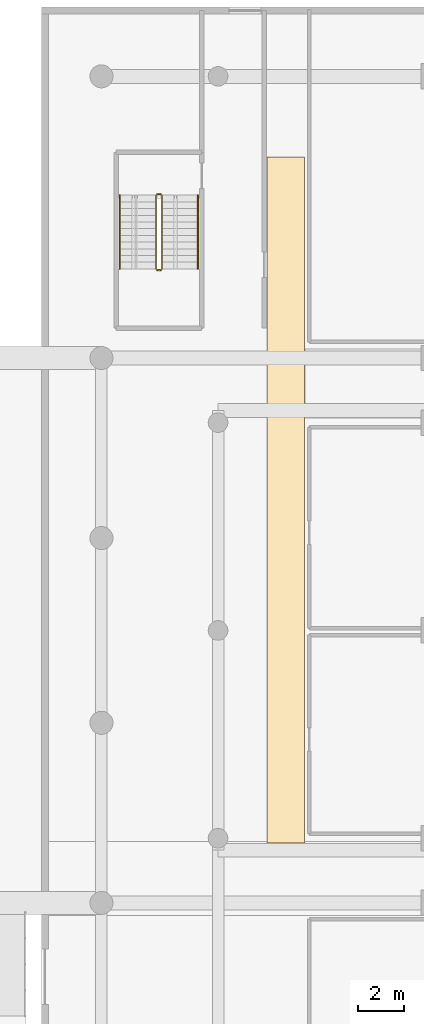
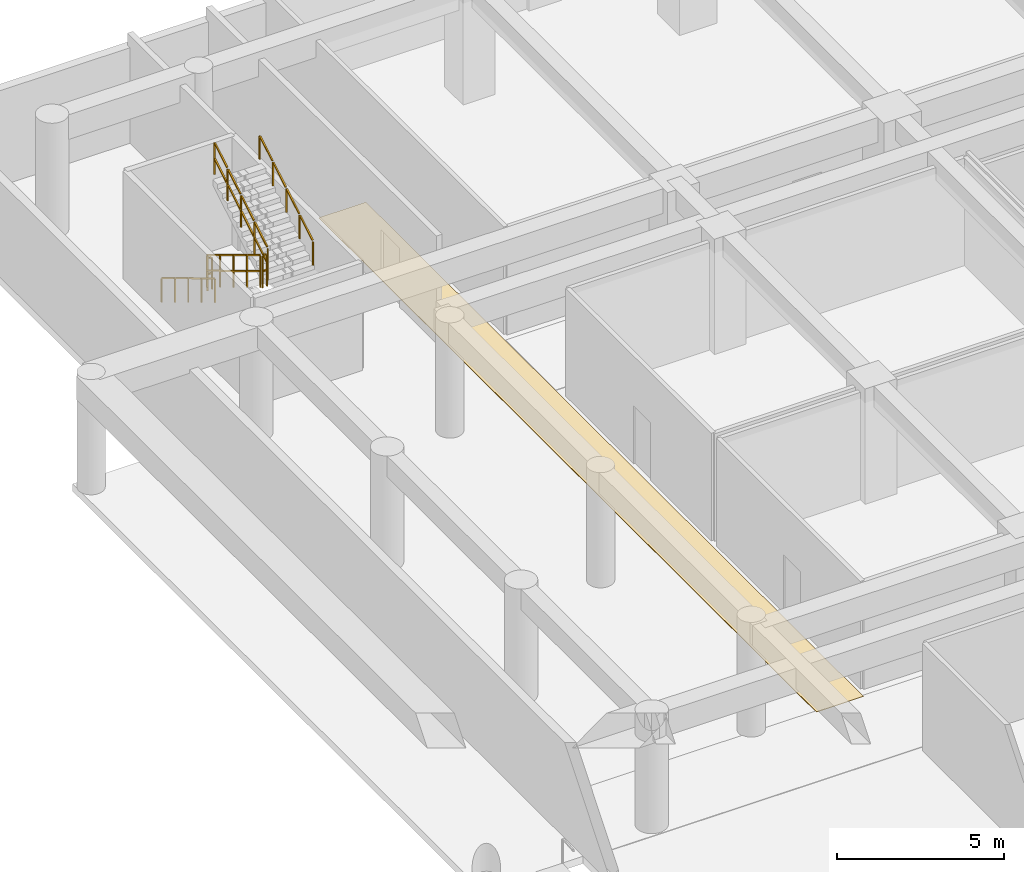
# One storey, part 22 of 24: 6 railings, 1 covering.
"""IFC4 building model written with IfcOpenShell, lengths in metres."""

import ifcopenshell
import ifcopenshell.guid

model = None  # the IFC model being written
_history = None  # IfcOwnerHistory: only IFC2X3 demands one
_inside = {}  # id of a spatial element -> (the spatial element, [elements in it])
_under = {}  # id of a project, library or spatial element -> (it, [spatial elements below it])
_declared = {}  # id of a project -> (the project, [libraries it declares])
_typed = {}  # id of a type object -> (the type object, [elements of that type])
_made_of = {}  # id of a material, layer set ... -> (it, [elements and type objects made of it])


def new_model(schema):
    """Start an empty IFC model of exactly this schema.

    Asked for "IFC4X3", IfcOpenShell would pick the latest addendum, in which some entities
    have other attributes; the version numbers below select the first issue.
    IFC2X3 requires an IfcOwnerHistory on every rooted entity: one is made here for all.
    """
    global model, _history
    if schema == "IFC4X3":
        model = ifcopenshell.file(schema_version=(4, 3, 0, 0))
    else:
        model = ifcopenshell.file(schema=schema)
    _inside.clear()
    _under.clear()
    _declared.clear()
    _typed.clear()
    _made_of.clear()
    _history = None
    if model.schema == "IFC2X3":
        org = make("IfcOrganization", Name="unknown")
        user = make(
            "IfcPersonAndOrganization",
            ThePerson=make("IfcPerson", FamilyName="unknown"),
            TheOrganization=org,
        )
        app = make(
            "IfcApplication",
            ApplicationDeveloper=org,
            Version="unknown",
            ApplicationFullName="unknown",
            ApplicationIdentifier="unknown",
        )
        _history = make(
            "IfcOwnerHistory",
            OwningUser=user,
            OwningApplication=app,
            ChangeAction="ADDED",
            CreationDate=0,
        )
    return model


def make(cls, **values):
    """One entity of the class cls with the attributes given. An attribute that is None is left unset."""
    return model.create_entity(
        cls, **{name: value for name, value in values.items() if value is not None}
    )


def rooted(cls, **values):
    """An entity with a GlobalId (a new one), such as an element, a storey or a relation."""
    return make(cls, GlobalId=ifcopenshell.guid.new(), OwnerHistory=_history, **values)


def si_unit(unit_type, name, prefix=None):
    """IfcSIUnit, for example si_unit("LENGTHUNIT", "METRE", prefix="MILLI")."""
    return make("IfcSIUnit", UnitType=unit_type, Prefix=prefix, Name=name)


def assignment(units):
    """IfcUnitAssignment: the units of a project."""
    return None if units is None else make("IfcUnitAssignment", Units=units)


def point(xyz):
    """IfcCartesianPoint."""
    return None if xyz is None else make("IfcCartesianPoint", Coordinates=xyz)


def direction(xyz):
    """IfcDirection."""
    return None if xyz is None else make("IfcDirection", DirectionRatios=xyz)


def frame(location, z_axis=None, x_axis=None):
    """IfcAxis2Placement3D, a coordinate frame: its origin and axes. An axis left out is left unset."""
    return make(
        "IfcAxis2Placement3D",
        Location=point(location),
        Axis=direction(z_axis),
        RefDirection=direction(x_axis),
    )


def frame_2d(location, x_axis=None):
    """IfcAxis2Placement2D, a coordinate frame in the plane: its origin and x axis."""
    return make(
        "IfcAxis2Placement2D", Location=point(location), RefDirection=direction(x_axis)
    )


def origin():
    """The frame at (0, 0, 0) with its axes left unset."""
    return frame((0.0, 0.0, 0.0))


def origin_2d():
    """The frame at (0, 0) in the plane with its x axis left unset."""
    return frame_2d((0.0, 0.0))


def place(relative_to, where):
    """IfcLocalPlacement: puts the frame where relative to a parent placement (None: the world)."""
    return make(
        "IfcLocalPlacement", PlacementRelTo=relative_to, RelativePlacement=where
    )


def context(
    kind, dimensions, precision=None, world=None, true_north=None, identifier=None
):
    """IfcGeometricRepresentationContext, for example the 3D "Model" context."""
    return make(
        "IfcGeometricRepresentationContext",
        ContextIdentifier=identifier,
        ContextType=kind,
        CoordinateSpaceDimension=dimensions,
        Precision=precision,
        WorldCoordinateSystem=world,
        TrueNorth=true_north,
    )


def subcontext(parent, identifier, kind, view, scale=None):
    """IfcGeometricRepresentationSubContext, for example "Body" below "Model"."""
    return make(
        "IfcGeometricRepresentationSubContext",
        ContextIdentifier=identifier,
        ContextType=kind,
        ParentContext=parent,
        TargetScale=scale,
        TargetView=view,
    )


def project(units=None, contexts=None):
    """IfcProject with its units and contexts."""
    return rooted(
        "IfcProject",
        Name="project",
        RepresentationContexts=contexts,
        UnitsInContext=assignment(units),
    )


def spatial(cls, under=None, at=None, **own):
    """A site, building, storey or space (cls), placed at a placement, below another one or the project."""
    s = rooted(cls, ObjectPlacement=at, **own)
    if under is not None:
        _under.setdefault(under.id(), (under, []))[1].append(s)
    return s


def polyline(points):
    """IfcPolyline through the points."""
    return make("IfcPolyline", Points=[point(p) for p in points])


def profile(cls, at=None, kind="AREA", **sizes):
    """A parametric profile (cls). Its sizes go by their IFC names, for example OverallWidth=200.0."""
    return make(cls, ProfileType=kind, Position=at, **sizes)


def rectangle(**sizes):
    """IfcRectangleProfileDef."""
    return profile("IfcRectangleProfileDef", **sizes)


def outline(outer, holes=None, kind="AREA"):
    """IfcArbitraryClosedProfileDef: a profile drawn as a closed curve; with holes, ...WithVoids."""
    if holes is None:
        return make("IfcArbitraryClosedProfileDef", ProfileType=kind, OuterCurve=outer)
    return make(
        "IfcArbitraryProfileDefWithVoids",
        ProfileType=kind,
        OuterCurve=outer,
        InnerCurves=holes,
    )


def extrude(swept, where, along, depth):
    """IfcExtrudedAreaSolid: the profile swept, set in the frame where, extruded along a direction by depth."""
    return make(
        "IfcExtrudedAreaSolid",
        SweptArea=swept,
        Position=where,
        ExtrudedDirection=direction(along),
        Depth=depth,
    )


def shape(context_of_items, identifier, shape_type, items):
    """IfcShapeRepresentation: the items that make up one representation, for example the "Body"."""
    return make(
        "IfcShapeRepresentation",
        ContextOfItems=context_of_items,
        RepresentationIdentifier=identifier,
        RepresentationType=shape_type,
        Items=items,
    )


def material(Name=None, Category=None):
    """IfcMaterial."""
    return make("IfcMaterial", Name=Name, Category=Category)


def layer(
    of_material, thickness, ventilated=None, Name=None, Category=None, Priority=None
):
    """IfcMaterialLayer: one layer of a wall or slab, of a material (None: an air gap)."""
    return make(
        "IfcMaterialLayer",
        Material=of_material,
        LayerThickness=thickness,
        IsVentilated=ventilated,
        Name=Name,
        Category=Category,
        Priority=Priority,
    )


def layer_set(layers, Name=None):
    """IfcMaterialLayerSet."""
    return make("IfcMaterialLayerSet", MaterialLayers=layers, LayerSetName=Name)


def made_of(thing, what):
    """Note that an element or type object is made of a material, layer set ...; save() writes the relation."""
    if what is not None:
        _made_of.setdefault(what.id(), (what, []))[1].append(thing)
    return thing


def type_object(cls, material=None, **own):
    """A type object (cls), such as IfcWallType, which elements share."""
    return made_of(rooted(cls, **own), material)


def element(
    cls,
    number,
    at=None,
    inside=None,
    cuts=None,
    type_object=None,
    material=None,
    context=None,
    identifier="Body",
    shape_type=None,
    held_by="IfcProductDefinitionShape",
    body=None,
    shapes=None,
    **own,
):
    """One element of the class cls, such as IfcWall. Its Tag is "e" and its number.

    at: its placement. inside: the storey or other place that contains it. cuts: it is an
    opening in that element (IfcRelVoidsElement). A single representation is given by context,
    identifier, shape_type and body (its items); several are given by shapes. held_by: the class
    of the entity that holds the representations. save() writes the other relations.
    """
    e = rooted(cls, Tag="e%d" % number, ObjectPlacement=at, **own)
    if body is not None:
        shapes = [shape(context, identifier, shape_type, body)]
    if shapes is not None:
        e.Representation = make(held_by, Representations=shapes)
    if inside is not None:
        _inside.setdefault(inside.id(), (inside, []))[1].append(e)
    if cuts is not None:
        rooted(
            "IfcRelVoidsElement", RelatingBuildingElement=cuts, RelatedOpeningElement=e
        )
    if type_object is not None:
        _typed.setdefault(type_object.id(), (type_object, []))[1].append(e)
    return made_of(e, material)


def aggregate(whole, parts):
    """IfcRelAggregates: a whole, such as a stair, and the parts it consists of."""
    return rooted("IfcRelAggregates", RelatingObject=whole, RelatedObjects=parts)


def save(model, path):
    """Write the relations noted so far, then the file.

    IfcRelAggregates (storeys below a building ...), IfcRelContainedInSpatialStructure (elements
    in a storey), IfcRelDefinesByType, IfcRelAssociatesMaterial and IfcRelDeclares: one each for
    every whole, place, type object, material and project.
    """
    for whole, parts in _under.values():
        aggregate(whole, parts)
    for where, things in _inside.values():
        rooted(
            "IfcRelContainedInSpatialStructure",
            RelatedElements=things,
            RelatingStructure=where,
        )
    for kind, things in _typed.values():
        rooted("IfcRelDefinesByType", RelatedObjects=things, RelatingType=kind)
    for what, things in _made_of.values():
        rooted("IfcRelAssociatesMaterial", RelatedObjects=things, RelatingMaterial=what)
    for by, libraries in _declared.values():
        rooted("IfcRelDeclares", RelatingContext=by, RelatedDefinitions=libraries)
    model.write(path)


model = new_model("IFC4")

# Units and contexts
model_context = context("Model", 3, precision=1e-05, world=origin(), true_north=direction((0.0, 1.0)))
body_context = subcontext(model_context, "Body", "Model", "MODEL_VIEW")
ifc_project = project(units=[si_unit("LENGTHUNIT", "METRE"), si_unit("AREAUNIT", "SQUARE_METRE"), si_unit("VOLUMEUNIT", "CUBIC_METRE"), si_unit("PLANEANGLEUNIT", "RADIAN"), si_unit("MASSUNIT", "GRAM", prefix="KILO")], contexts=[model_context])

# Site, building, storey
site_placement = place(None, origin())
site = spatial("IfcSite", under=ifc_project, at=site_placement, CompositionType="ELEMENT")
building_placement = place(site_placement, origin())
building = spatial("IfcBuilding", under=site, at=building_placement, Name="Saelheon Loggia Tower", CompositionType="ELEMENT")
storey_placement = place(building_placement, origin())
storey = spatial("IfcBuildingStorey", under=building, at=storey_placement, Name="L00", CompositionType="ELEMENT", Elevation=0.0)

# Covering
ifc_material_1 = material(Name="Vitrified Porcelain Floor Tile", Category="ceramic")
ifc_layer = layer(ifc_material_1, 0.02001953125)
ifc_layer_set = layer_set([ifc_layer], Name="Vitrified Porcelain Floor Tile")
covering_type = type_object("IfcCoveringType", Name="Cov_Floor_Porcelain", PredefinedType="FLOORING", material=ifc_layer_set)
covering_placement = place(storey_placement, origin())
element("IfcCovering", 1, at=covering_placement, inside=storey, type_object=covering_type, Name="L00 Corridor Porcelain Flooring", PredefinedType="FLOORING", context=body_context, shape_type="SweptSolid", body=[
    extrude(outline(polyline([(9.780029296875, 17.800048828125), (11.39990234375, 17.800048828125), (11.39990234375, 47.5), (9.780029296875, 47.5), (9.780029296875, 17.800048828125)])), origin(), (0.0, 0.0, 1.0), 0.02001953125),
])

# Railings
ifc_material_2 = material(Name="Galvanised Steel S275 Stairwell Guardrail", Category="steel")
railing_type_1 = type_object("IfcRailingType", Name="Guard_StairWell_RL_STG", PredefinedType="GUARDRAIL", material=ifc_material_2)
railing_1_placement = place(storey_placement, frame((4.9599609375, 45.85009765625, 0.175048828125)))
element("IfcRailing", 2, at=railing_1_placement, inside=storey, type_object=railing_type_1, Name="L00 ST3 stair guard 1", PredefinedType="GUARDRAIL", context=body_context, shape_type="SweptSolid", body=[
    extrude(rectangle(XDim=0.048095703125, YDim=0.048095703125, at=origin_2d()), frame((0.0, -0.028564453125, 1.193115234375), z_axis=(0.0, -0.856195157123, 0.516652545643), x_axis=(1.0, 0.0, 0.0)), (0.0, 0.0, 1.0), 0.864990234375),
    extrude(rectangle(XDim=0.048095703125, YDim=0.048095703125, at=origin_2d()), frame((0.0, -0.028564453125, 0.6171875), z_axis=(0.0, -0.856195157123, 0.516652545643), x_axis=(1.0, 0.0, 0.0)), (0.0, 0.0, 1.0), 0.864990234375),
    extrude(rectangle(XDim=0.048095703125, YDim=0.048095703125, at=origin_2d()), frame((0.0, -0.825927734375, 1.67431640625), z_axis=(0.0, -0.856195157123, 0.516652545643), x_axis=(1.0, 0.0, 0.0)), (0.0, 0.0, 1.0), 0.864990234375),
    extrude(rectangle(XDim=0.048095703125, YDim=0.048095703125, at=origin_2d()), frame((0.0, -0.825927734375, 1.098388671875), z_axis=(0.0, -0.856195157123, 0.516652545643), x_axis=(1.0, 0.0, 0.0)), (0.0, 0.0, 1.0), 0.864990234375),
    extrude(rectangle(XDim=0.048095703125, YDim=0.048095703125, at=origin_2d()), frame((0.0, -1.62353515625, 2.155517578125), z_axis=(0.0, -0.856195157123, 0.516652545643), x_axis=(1.0, 0.0, 0.0)), (0.0, 0.0, 1.0), 0.864990234375),
    extrude(rectangle(XDim=0.048095703125, YDim=0.048095703125, at=origin_2d()), frame((0.0, -1.62353515625, 1.57958984375), z_axis=(0.0, -0.856195157123, 0.516652545643), x_axis=(1.0, 0.0, 0.0)), (0.0, 0.0, 1.0), 0.864990234375),
    extrude(rectangle(XDim=0.048095703125, YDim=0.048095703125, at=origin_2d()), frame((0.0, -2.421142578125, 2.636962890625), z_axis=(0.0, -0.856195157123, 0.516652545643), x_axis=(1.0, 0.0, 0.0)), (0.0, 0.0, 1.0), 0.864990234375),
    extrude(rectangle(XDim=0.048095703125, YDim=0.048095703125, at=origin_2d()), frame((0.0, -2.421142578125, 2.06103515625), z_axis=(0.0, -0.856195157123, 0.516652545643), x_axis=(1.0, 0.0, 0.0)), (0.0, 0.0, 1.0), 0.864990234375),
    extrude(rectangle(XDim=0.0419921875, YDim=0.0419921875, at=origin_2d()), origin(), (0.0, 0.0, 1.0), 1.14794921875),
    extrude(rectangle(XDim=0.0419921875, YDim=0.0419921875, at=origin_2d()), frame((0.0, -0.797607421875, 0.481201171875)), (0.0, 0.0, 1.0), 1.14794921875),
    extrude(rectangle(XDim=0.0419921875, YDim=0.0419921875, at=origin_2d()), frame((0.0, -1.59521484375, 0.96240234375)), (0.0, 0.0, 1.0), 1.14794921875),
    extrude(rectangle(XDim=0.0419921875, YDim=0.0419921875, at=origin_2d()), frame((0.0, -2.392578125, 1.44384765625)), (0.0, 0.0, 1.0), 1.14794921875),
    extrude(rectangle(XDim=0.0419921875, YDim=0.0419921875, at=origin_2d()), frame((0.0, -3.190185546875, 1.925048828125)), (0.0, 0.0, 1.0), 1.14794921875),
])
railing_2_placement = place(storey_placement, frame((5.010009765625, 42.610107421875, 2.10009765625)))
element("IfcRailing", 3, at=railing_2_placement, inside=storey, type_object=railing_type_1, Name="L00 ST3 stair guard 2", PredefinedType="GUARDRAIL", context=body_context, shape_type="SweptSolid", body=[
    extrude(rectangle(XDim=0.048095703125, YDim=0.048095703125, at=origin_2d()), frame((0.033203125, 0.0, 1.17578125), z_axis=(1.0, 0.0, 0.0), x_axis=(0.0, 1.0, 0.0)), (0.0, 0.0, 1.0), 0.093505859375),
    extrude(rectangle(XDim=0.048095703125, YDim=0.048095703125, at=origin_2d()), frame((0.033203125, 0.0, 0.60009765625), z_axis=(1.0, 0.0, 0.0), x_axis=(0.0, 1.0, 0.0)), (0.0, 0.0, 1.0), 0.093505859375),
    extrude(rectangle(XDim=0.0419921875, YDim=0.0419921875, at=origin_2d()), origin(), (0.0, 0.0, 1.0), 1.14794921875),
    extrude(rectangle(XDim=0.0419921875, YDim=0.0419921875, at=origin_2d()), frame((0.159912109375, 0.0, 0.0)), (0.0, 0.0, 1.0), 1.14794921875),
])
railing_3_placement = place(storey_placement, frame((5.219970703125, 42.659912109375, 2.27490234375)))
element("IfcRailing", 4, at=railing_3_placement, inside=storey, type_object=railing_type_1, Name="L00 ST3 stair guard 3", PredefinedType="GUARDRAIL", context=body_context, shape_type="SweptSolid", body=[
    extrude(rectangle(XDim=0.048095703125, YDim=0.048095703125, at=origin_2d()), frame((0.0, 0.028564453125, 1.193115234375), z_axis=(0.0, 0.856195157123, 0.516652545643), x_axis=(-1.0, 0.0, 0.0)), (0.0, 0.0, 1.0), 0.864990234375),
    extrude(rectangle(XDim=0.048095703125, YDim=0.048095703125, at=origin_2d()), frame((0.0, 0.028564453125, 0.6171875), z_axis=(0.0, 0.856195157123, 0.516652545643), x_axis=(-1.0, 0.0, 0.0)), (0.0, 0.0, 1.0), 0.864990234375),
    extrude(rectangle(XDim=0.048095703125, YDim=0.048095703125, at=origin_2d()), frame((0.0, 0.825927734375, 1.67431640625), z_axis=(0.0, 0.856195157123, 0.516652545643), x_axis=(-1.0, 0.0, 0.0)), (0.0, 0.0, 1.0), 0.864990234375),
    extrude(rectangle(XDim=0.048095703125, YDim=0.048095703125, at=origin_2d()), frame((0.0, 0.825927734375, 1.098388671875), z_axis=(0.0, 0.856195157123, 0.516652545643), x_axis=(-1.0, 0.0, 0.0)), (0.0, 0.0, 1.0), 0.864990234375),
    extrude(rectangle(XDim=0.048095703125, YDim=0.048095703125, at=origin_2d()), frame((0.0, 1.62353515625, 2.155517578125), z_axis=(0.0, 0.856195157123, 0.516652545643), x_axis=(-1.0, 0.0, 0.0)), (0.0, 0.0, 1.0), 0.864990234375),
    extrude(rectangle(XDim=0.048095703125, YDim=0.048095703125, at=origin_2d()), frame((0.0, 1.62353515625, 1.57958984375), z_axis=(0.0, 0.856195157123, 0.516652545643), x_axis=(-1.0, 0.0, 0.0)), (0.0, 0.0, 1.0), 0.864990234375),
    extrude(rectangle(XDim=0.048095703125, YDim=0.048095703125, at=origin_2d()), frame((0.0, 2.421142578125, 2.636962890625), z_axis=(0.0, 0.856195157123, 0.516652545643), x_axis=(-1.0, 0.0, 0.0)), (0.0, 0.0, 1.0), 0.864990234375),
    extrude(rectangle(XDim=0.048095703125, YDim=0.048095703125, at=origin_2d()), frame((0.0, 2.421142578125, 2.06103515625), z_axis=(0.0, 0.856195157123, 0.516652545643), x_axis=(-1.0, 0.0, 0.0)), (0.0, 0.0, 1.0), 0.864990234375),
    extrude(rectangle(XDim=0.0419921875, YDim=0.0419921875, at=origin_2d()), origin(), (0.0, 0.0, 1.0), 1.14794921875),
    extrude(rectangle(XDim=0.0419921875, YDim=0.0419921875, at=origin_2d()), frame((0.0, 0.797607421875, 0.481201171875)), (0.0, 0.0, 1.0), 1.14794921875),
    extrude(rectangle(XDim=0.0419921875, YDim=0.0419921875, at=origin_2d()), frame((0.0, 1.59521484375, 0.96240234375)), (0.0, 0.0, 1.0), 1.14794921875),
    extrude(rectangle(XDim=0.0419921875, YDim=0.0419921875, at=origin_2d()), frame((0.0, 2.392578125, 1.44384765625)), (0.0, 0.0, 1.0), 1.14794921875),
    extrude(rectangle(XDim=0.0419921875, YDim=0.0419921875, at=origin_2d()), frame((0.0, 3.190185546875, 1.925048828125)), (0.0, 0.0, 1.0), 1.14794921875),
])
railing_4_placement = place(storey_placement, frame((5.010009765625, 45.89990234375, 0.0)))
element("IfcRailing", 5, at=railing_4_placement, inside=storey, type_object=railing_type_1, Name="L00 ST3 stair guard 4", PredefinedType="GUARDRAIL", context=body_context, shape_type="SweptSolid", body=[
    extrude(rectangle(XDim=0.048095703125, YDim=0.048095703125, at=origin_2d()), frame((0.033203125, 0.0, 1.17578125), z_axis=(1.0, 0.0, 0.0), x_axis=(0.0, 1.0, 0.0)), (0.0, 0.0, 1.0), 0.093505859375),
    extrude(rectangle(XDim=0.048095703125, YDim=0.048095703125, at=origin_2d()), frame((0.033203125, 0.0, 0.60009765625), z_axis=(1.0, 0.0, 0.0), x_axis=(0.0, 1.0, 0.0)), (0.0, 0.0, 1.0), 0.093505859375),
    extrude(rectangle(XDim=0.0419921875, YDim=0.0419921875, at=origin_2d()), origin(), (0.0, 0.0, 1.0), 1.14794921875),
    extrude(rectangle(XDim=0.0419921875, YDim=0.0419921875, at=origin_2d()), frame((0.159912109375, 0.0, 0.0)), (0.0, 0.0, 1.0), 1.14794921875),
])
ifc_material_3 = material(Name="Stainless Steel 304 Tubular Handrail", Category="steel")
railing_type_2 = type_object("IfcRailingType", Name="Handrail_Stair_RL_HR1", PredefinedType="HANDRAIL", material=ifc_material_3)
railing_5_placement = place(storey_placement, frame((3.39990234375, 45.85009765625, 0.175048828125)))
element("IfcRailing", 6, at=railing_5_placement, inside=storey, type_object=railing_type_2, Name="L00 ST3 stair handrail 1", PredefinedType="HANDRAIL", context=body_context, shape_type="SweptSolid", body=[
    extrude(rectangle(XDim=0.048095703125, YDim=0.048095703125, at=origin_2d()), frame((0.0, -0.028564453125, 0.89306640625), z_axis=(0.0, -0.856195157123, 0.516652545643), x_axis=(1.0, 0.0, 0.0)), (0.0, 0.0, 1.0), 0.864990234375),
    extrude(rectangle(XDim=0.048095703125, YDim=0.048095703125, at=origin_2d()), frame((0.0, -0.825927734375, 1.374267578125), z_axis=(0.0, -0.856195157123, 0.516652545643), x_axis=(1.0, 0.0, 0.0)), (0.0, 0.0, 1.0), 0.864990234375),
    extrude(rectangle(XDim=0.048095703125, YDim=0.048095703125, at=origin_2d()), frame((0.0, -1.62353515625, 1.85546875), z_axis=(0.0, -0.856195157123, 0.516652545643), x_axis=(1.0, 0.0, 0.0)), (0.0, 0.0, 1.0), 0.864990234375),
    extrude(rectangle(XDim=0.048095703125, YDim=0.048095703125, at=origin_2d()), frame((0.0, -2.421142578125, 2.3369140625), z_axis=(0.0, -0.856195157123, 0.516652545643), x_axis=(1.0, 0.0, 0.0)), (0.0, 0.0, 1.0), 0.864990234375),
    extrude(rectangle(XDim=0.0419921875, YDim=0.0419921875, at=origin_2d()), origin(), (0.0, 0.0, 1.0), 0.847900390625),
    extrude(rectangle(XDim=0.0419921875, YDim=0.0419921875, at=origin_2d()), frame((0.0, -0.797607421875, 0.481201171875)), (0.0, 0.0, 1.0), 0.847900390625),
    extrude(rectangle(XDim=0.0419921875, YDim=0.0419921875, at=origin_2d()), frame((0.0, -1.59521484375, 0.96240234375)), (0.0, 0.0, 1.0), 0.847900390625),
    extrude(rectangle(XDim=0.0419921875, YDim=0.0419921875, at=origin_2d()), frame((0.0, -2.392578125, 1.44384765625)), (0.0, 0.0, 1.0), 0.847900390625),
    extrude(rectangle(XDim=0.0419921875, YDim=0.0419921875, at=origin_2d()), frame((0.0, -3.190185546875, 1.925048828125)), (0.0, 0.0, 1.0), 0.847900390625),
])
railing_6_placement = place(storey_placement, frame((6.780029296875, 42.659912109375, 2.27490234375)))
element("IfcRailing", 7, at=railing_6_placement, inside=storey, type_object=railing_type_2, Name="L00 ST3 stair handrail 2", PredefinedType="HANDRAIL", context=body_context, shape_type="SweptSolid", body=[
    extrude(rectangle(XDim=0.048095703125, YDim=0.048095703125, at=origin_2d()), frame((0.0, 0.028564453125, 0.89306640625), z_axis=(0.0, 0.856195157123, 0.516652545643), x_axis=(-1.0, 0.0, 0.0)), (0.0, 0.0, 1.0), 0.864990234375),
    extrude(rectangle(XDim=0.048095703125, YDim=0.048095703125, at=origin_2d()), frame((0.0, 0.825927734375, 1.374267578125), z_axis=(0.0, 0.856195157123, 0.516652545643), x_axis=(-1.0, 0.0, 0.0)), (0.0, 0.0, 1.0), 0.864990234375),
    extrude(rectangle(XDim=0.048095703125, YDim=0.048095703125, at=origin_2d()), frame((0.0, 1.62353515625, 1.85546875), z_axis=(0.0, 0.856195157123, 0.516652545643), x_axis=(-1.0, 0.0, 0.0)), (0.0, 0.0, 1.0), 0.864990234375),
    extrude(rectangle(XDim=0.048095703125, YDim=0.048095703125, at=origin_2d()), frame((0.0, 2.421142578125, 2.3369140625), z_axis=(0.0, 0.856195157123, 0.516652545643), x_axis=(-1.0, 0.0, 0.0)), (0.0, 0.0, 1.0), 0.864990234375),
    extrude(rectangle(XDim=0.0419921875, YDim=0.0419921875, at=origin_2d()), origin(), (0.0, 0.0, 1.0), 0.847900390625),
    extrude(rectangle(XDim=0.0419921875, YDim=0.0419921875, at=origin_2d()), frame((0.0, 0.797607421875, 0.481201171875)), (0.0, 0.0, 1.0), 0.847900390625),
    extrude(rectangle(XDim=0.0419921875, YDim=0.0419921875, at=origin_2d()), frame((0.0, 1.59521484375, 0.96240234375)), (0.0, 0.0, 1.0), 0.847900390625),
    extrude(rectangle(XDim=0.0419921875, YDim=0.0419921875, at=origin_2d()), frame((0.0, 2.392578125, 1.44384765625)), (0.0, 0.0, 1.0), 0.847900390625),
    extrude(rectangle(XDim=0.0419921875, YDim=0.0419921875, at=origin_2d()), frame((0.0, 3.190185546875, 1.925048828125)), (0.0, 0.0, 1.0), 0.847900390625),
])

save(model, "model.ifc")
